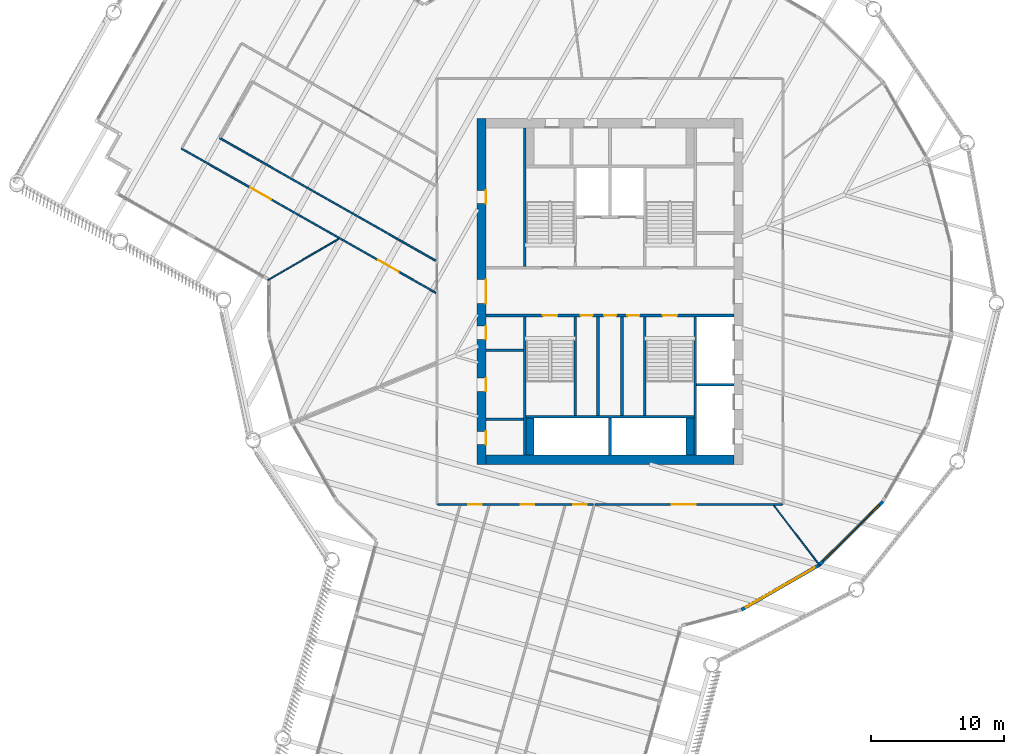
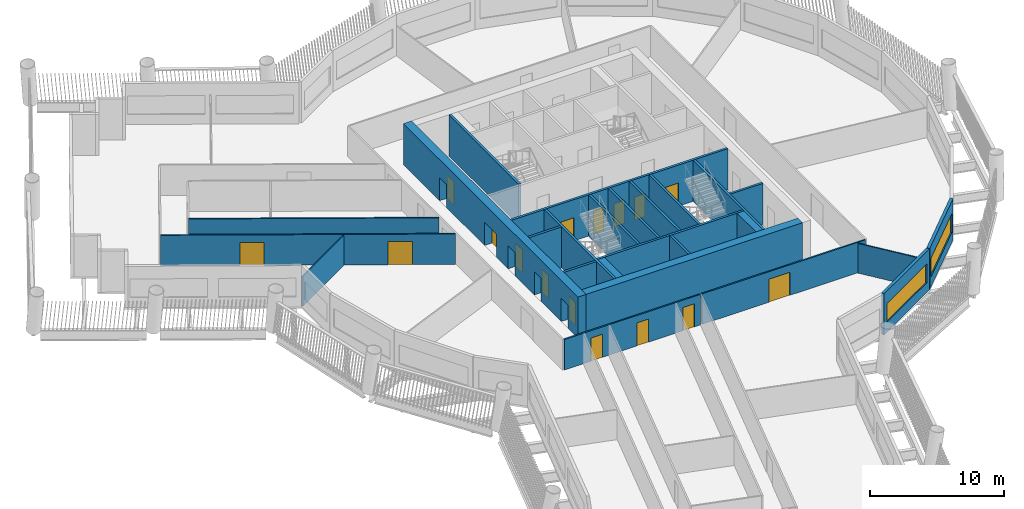
# One storey, part 4 of 15: 25 walls, 16 doors, 2 windows, 18 openings.
"""IFC4 building model written with IfcOpenShell, lengths in metres."""

from ifc_helpers import new_model, si_unit, direction, frame, frame_2d, origin, place, context, subcontext, project, spatial, rectangle, extrude, material, layer, layer_set, type_object, element, fill, save


model = new_model("IFC4")

# Units and contexts
model_context = context("Model", 3, precision=1e-05, world=origin(), true_north=direction((0.0, 1.0)))
body_context = subcontext(model_context, "Body", "Model", "MODEL_VIEW")
ifc_project = project(units=[si_unit("LENGTHUNIT", "METRE"), si_unit("AREAUNIT", "SQUARE_METRE"), si_unit("VOLUMEUNIT", "CUBIC_METRE"), si_unit("PLANEANGLEUNIT", "RADIAN"), si_unit("MASSUNIT", "GRAM", prefix="KILO")], contexts=[model_context])

# Site, building, storey
site_placement = place(None, origin())
site = spatial("IfcSite", under=ifc_project, at=site_placement, CompositionType="ELEMENT")
building_placement = place(site_placement, origin())
building = spatial("IfcBuilding", under=site, at=building_placement, Name="Tarsis Ring Headquarters", CompositionType="ELEMENT")
storey_placement = place(building_placement, frame((0.0, 0.0, 159.300048828125)))
storey = spatial("IfcBuildingStorey", under=building, at=storey_placement, Name="L36", CompositionType="ELEMENT", Elevation=159.300048828125)

# Walls
ifc_material_1 = material(Name="Blockwork", Category="masonry")
ifc_layer_1 = layer(ifc_material_1, 0.199951171875)
ifc_layer_set_1 = layer_set([ifc_layer_1], Name="Core blockwork wall 200")
wall_type_1 = type_object("IfcWallType", Name="Core blockwork wall 200", PredefinedType="PARTITIONING", material=ifc_layer_set_1)
for number, where, z_axis, x_axis, name in (
    (1, (-9.300048828125, -9.60009765625, 0.0), (0.0, 0.0, 1.0), (1.0, 0.0, 0.0), "Core partition WD1"),
    (2, (-9.300048828125, -4.39990234375, 0.0), (0.0, 0.0, 1.0), (1.0, 0.0, 0.0), "Core partition WD3"),
):
    element("IfcWall", number, at=place(storey_placement, frame(where, z_axis=z_axis, x_axis=x_axis)), inside=storey, type_object=wall_type_1, Name=name, PredefinedType="PARTITIONING", context=body_context, shape_type="SweptSolid", body=[
        extrude(rectangle(XDim=2.800048828125, YDim=0.199951171875, at=frame_2d((1.39990234375, 0.0))), origin(), (0.0, 0.0, 1.0), 3.739990234375),
    ])
for number, where, z_axis, x_axis, name in (
    (3, (-0.89990234375, -9.300048828125, 0.0), (0.0, 0.0, 1.0), (0.0, 1.0, 0.0), "Core partition SV1"),
    (4, (0.89990234375, -9.300048828125, 0.0), (0.0, 0.0, 1.0), (0.0, 1.0, 0.0), "Core partition SV2"),
):
    element("IfcWall", number, at=place(storey_placement, frame(where, z_axis=z_axis, x_axis=x_axis)), inside=storey, type_object=wall_type_1, Name=name, PredefinedType="PARTITIONING", context=body_context, shape_type="SweptSolid", body=[
        extrude(rectangle(XDim=7.400146484375, YDim=0.199951171875, at=frame_2d((3.7001953125, 0.0))), origin(), (0.0, 0.0, 1.0), 3.739990234375),
    ])

# Wall, openings, doors
ifc_material_2 = material(Name="Concrete C60/75", Category="concrete")
ifc_layer_2 = layer(ifc_material_2, 0.699951171875)
ifc_layer_set_2 = layer_set([ifc_layer_2], Name="Core wall 700 C60/75")
wall_type_2 = type_object("IfcWallType", Name="Core wall 700 C60/75", PredefinedType="SHEAR", material=ifc_layer_set_2)
wall_1_placement = place(storey_placement, frame((-9.64990234375, -13.0, 0.0), z_axis=(0.0, 0.0, 1.0), x_axis=(0.0, 1.0, 0.0)))
wall_1 = element("IfcWall", 5, at=wall_1_placement, inside=storey, type_object=wall_type_2, Name="Core wall OW", PredefinedType="SHEAR", context=body_context, shape_type="SweptSolid", body=[
    extrude(rectangle(XDim=26.0, YDim=0.699951171875, at=frame_2d((13.0, 0.0))), origin(), (0.0, 0.0, 1.0), 3.739990234375),
])
opening_1_placement = place(wall_1_placement, frame((1.5, 0.0, 0.0)))
opening_1 = element("IfcOpeningElement", 6, at=opening_1_placement, cuts=wall_1, Name="Opening L36-C01", PredefinedType="OPENING", context=body_context, shape_type="SweptSolid", body=[
    extrude(rectangle(XDim=1.0, YDim=2.10009765625, at=frame_2d((0.5, 1.050048828125))), frame((0.0, 0.35986328125, 0.0), z_axis=(0.0, -1.0, 0.0), x_axis=(1.0, 0.0, 0.0)), (0.0, 0.0, 1.0), 0.719970703125),
])
opening_2_placement = place(wall_1_placement, frame((5.5, 0.0, 0.0)))
opening_2 = element("IfcOpeningElement", 7, at=opening_2_placement, cuts=wall_1, Name="Opening L36-C02", PredefinedType="OPENING", context=body_context, shape_type="SweptSolid", body=[
    extrude(rectangle(XDim=1.0, YDim=2.10009765625, at=frame_2d((0.5, 1.050048828125))), frame((0.0, 0.35986328125, 0.0), z_axis=(0.0, -1.0, 0.0), x_axis=(1.0, 0.0, 0.0)), (0.0, 0.0, 1.0), 0.719970703125),
])
opening_3_placement = place(wall_1_placement, frame((9.39990234375, 0.0, 0.0)))
opening_3 = element("IfcOpeningElement", 8, at=opening_3_placement, cuts=wall_1, Name="Opening L36-C03", PredefinedType="OPENING", context=body_context, shape_type="SweptSolid", body=[
    extrude(rectangle(XDim=1.0, YDim=2.10009765625, at=frame_2d((0.5, 1.050048828125))), frame((0.0, 0.35986328125, 0.0), z_axis=(0.0, -1.0, 0.0), x_axis=(1.0, 0.0, 0.0)), (0.0, 0.0, 1.0), 0.719970703125),
])
opening_4_placement = place(wall_1_placement, frame((12.10009765625, 0.0, 0.0)))
opening_4 = element("IfcOpeningElement", 9, at=opening_4_placement, cuts=wall_1, Name="Opening L36-C04", PredefinedType="OPENING", context=body_context, shape_type="SweptSolid", body=[
    extrude(rectangle(XDim=1.800048828125, YDim=2.10009765625, at=frame_2d((0.89990234375, 1.050048828125))), frame((0.0, 0.35986328125, 0.0), z_axis=(0.0, -1.0, 0.0), x_axis=(1.0, 0.0, 0.0)), (0.0, 0.0, 1.0), 0.719970703125),
])
opening_5_placement = place(wall_1_placement, frame((19.60009765625, 0.0, 0.0)))
opening_5 = element("IfcOpeningElement", 10, at=opening_5_placement, cuts=wall_1, Name="Opening L36-C05", PredefinedType="OPENING", context=body_context, shape_type="SweptSolid", body=[
    extrude(rectangle(XDim=1.0, YDim=2.10009765625, at=frame_2d((0.5, 1.050048828125))), frame((0.0, 0.35986328125, 0.0), z_axis=(0.0, -1.0, 0.0), x_axis=(1.0, 0.0, 0.0)), (0.0, 0.0, 1.0), 0.719970703125),
])
ifc_material_3 = material(Name="Steel S355", Category="steel")
door_type_1 = type_object("IfcDoorType", Name="Core entry door 1800x2100", OperationType="DOUBLE_DOOR_SINGLE_SWING", PredefinedType="DOOR", material=ifc_material_3)
door_1_placement = place(opening_4_placement, origin())
door_1 = element("IfcDoor", 11, at=door_1_placement, inside=storey, type_object=door_type_1, Name="Core entry door L36", OperationType="DOUBLE_DOOR_SINGLE_SWING", OverallHeight=2.10009765625, OverallWidth=1.800048828125, PredefinedType="DOOR", context=body_context, shape_type="SweptSolid", body=[
    extrude(rectangle(XDim=1.800048828125, YDim=2.10009765625, at=frame_2d((0.89990234375, 1.050048828125))), frame((0.0, -0.2998046875, 0.0), z_axis=(0.0, -1.0, 0.0), x_axis=(1.0, 0.0, 0.0)), (0.0, 0.0, 1.0), 0.050048828125),
])
fill(opening_4, door_1)
door_type_2 = type_object("IfcDoorType", Name="Core room door 1000x2100", OperationType="SINGLE_SWING_LEFT", PredefinedType="DOOR", material=ifc_material_3)
door_2_placement = place(opening_1_placement, origin())
door_2 = element("IfcDoor", 12, at=door_2_placement, inside=storey, type_object=door_type_2, Name="Core room door L36", OperationType="SINGLE_SWING_LEFT", OverallHeight=2.10009765625, OverallWidth=1.0, PredefinedType="DOOR", context=body_context, shape_type="SweptSolid", body=[
    extrude(rectangle(XDim=1.0, YDim=2.10009765625, at=frame_2d((0.5, 1.050048828125))), frame((0.0, -0.2998046875, 0.0), z_axis=(0.0, -1.0, 0.0), x_axis=(1.0, 0.0, 0.0)), (0.0, 0.0, 1.0), 0.050048828125),
])
fill(opening_1, door_2)
door_3_placement = place(opening_2_placement, origin())
door_3 = element("IfcDoor", 13, at=door_3_placement, inside=storey, type_object=door_type_2, Name="Core room door L36", OperationType="SINGLE_SWING_LEFT", OverallHeight=2.10009765625, OverallWidth=1.0, PredefinedType="DOOR", context=body_context, shape_type="SweptSolid", body=[
    extrude(rectangle(XDim=1.0, YDim=2.10009765625, at=frame_2d((0.5, 1.050048828125))), frame((0.0, -0.2998046875, 0.0), z_axis=(0.0, -1.0, 0.0), x_axis=(1.0, 0.0, 0.0)), (0.0, 0.0, 1.0), 0.050048828125),
])
fill(opening_2, door_3)
door_4_placement = place(opening_3_placement, origin())
door_4 = element("IfcDoor", 14, at=door_4_placement, inside=storey, type_object=door_type_2, Name="Core room door L36", OperationType="SINGLE_SWING_LEFT", OverallHeight=2.10009765625, OverallWidth=1.0, PredefinedType="DOOR", context=body_context, shape_type="SweptSolid", body=[
    extrude(rectangle(XDim=1.0, YDim=2.10009765625, at=frame_2d((0.5, 1.050048828125))), frame((0.0, -0.2998046875, 0.0), z_axis=(0.0, -1.0, 0.0), x_axis=(1.0, 0.0, 0.0)), (0.0, 0.0, 1.0), 0.050048828125),
])
fill(opening_3, door_4)
door_5_placement = place(opening_5_placement, origin())
door_5 = element("IfcDoor", 15, at=door_5_placement, inside=storey, type_object=door_type_2, Name="Core room door L36", OperationType="SINGLE_SWING_LEFT", OverallHeight=2.10009765625, OverallWidth=1.0, PredefinedType="DOOR", context=body_context, shape_type="SweptSolid", body=[
    extrude(rectangle(XDim=1.0, YDim=2.10009765625, at=frame_2d((0.5, 1.050048828125))), frame((0.0, -0.2998046875, 0.0), z_axis=(0.0, -1.0, 0.0), x_axis=(1.0, 0.0, 0.0)), (0.0, 0.0, 1.0), 0.050048828125),
])
fill(opening_5, door_5)

# Walls
wall_2_placement = place(storey_placement, frame((-9.300048828125, -12.64990234375, 0.0), z_axis=(0.0, 0.0, 1.0), x_axis=(1.0, 0.0, 0.0)))
element("IfcWall", 16, at=wall_2_placement, inside=storey, type_object=wall_type_2, Name="Core wall OS", PredefinedType="SHEAR", context=body_context, shape_type="SweptSolid", body=[
    extrude(rectangle(XDim=18.60009765625, YDim=0.699951171875, at=frame_2d((9.300048828125, 0.0))), origin(), (0.0, 0.0, 1.0), 3.739990234375),
])
ifc_material_4 = material(Name="Gypsum board on steel studs", Category="steel")
ifc_layer_3 = layer(ifc_material_4, 0.10009765625)
ifc_layer_set_3 = layer_set([ifc_layer_3], Name="FL partition 100 unrated")
wall_type_3 = type_object("IfcWallType", Name="FL partition 100 unrated", PredefinedType="PARTITIONING", material=ifc_layer_set_3)
wall_3_placement = place(storey_placement, frame((-25.697265625, 0.864990234375, 0.0), z_axis=(0.0, 0.0, 1.0), x_axis=(0.864373785522, 0.50284983733, 0.0)))
element("IfcWall", 17, at=wall_3_placement, inside=storey, type_object=wall_type_3, Name="Partition PW3", PredefinedType="PARTITIONING", context=body_context, shape_type="SweptSolid", body=[
    extrude(rectangle(XDim=6.141357421875, YDim=0.10009765625, at=frame_2d((3.07080078125, 0.0))), origin(), (0.0, 0.0, 1.0), 2.699951171875),
])
wall_4_placement = place(storey_placement, frame((12.311279296875, -16.079345703125, 0.0), z_axis=(0.0, 0.0, 1.0), x_axis=(0.607938366201, -0.793984220814, 0.0)))
element("IfcWall", 18, at=wall_4_placement, inside=storey, type_object=wall_type_3, Name="Partition PW3", PredefinedType="PARTITIONING", context=body_context, shape_type="SweptSolid", body=[
    extrude(rectangle(XDim=5.696533203125, YDim=0.10009765625, at=frame_2d((2.84814453125, 0.0))), origin(), (0.0, 0.0, 1.0), 2.699951171875),
])

# Wall, openings, doors
ifc_layer_4 = layer(ifc_material_4, 0.125)
ifc_layer_set_4 = layer_set([ifc_layer_4], Name="FL partition 125 EI 60 H2770")
wall_type_4 = type_object("IfcWallType", Name="FL partition 125 EI 60 H2770", PredefinedType="PARTITIONING", material=ifc_layer_set_4)
wall_5_placement = place(storey_placement, frame((-12.93994140625, -16.0, 0.0), z_axis=(0.0, 0.0, 1.0), x_axis=(1.0, 0.0, 0.0)))
wall_5 = element("IfcWall", 19, at=wall_5_placement, inside=storey, type_object=wall_type_4, Name="Partition PW1", PredefinedType="PARTITIONING", context=body_context, shape_type="SweptSolid", body=[
    extrude(rectangle(XDim=11.6826171875, YDim=0.125, at=frame_2d((5.84130859375, 0.0))), origin(), (0.0, 0.0, 1.0), 2.77001953125),
])
opening_6_placement = place(wall_5_placement, frame((6.23046875, 0.0, 0.0)))
opening_6 = element("IfcOpeningElement", 20, at=opening_6_placement, cuts=wall_5, Name="Opening D36.14", PredefinedType="OPENING", context=body_context, shape_type="SweptSolid", body=[
    extrude(rectangle(XDim=1.0, YDim=2.10009765625, at=frame_2d((0.5, 1.050048828125))), frame((0.0, 0.072509765625, 0.0), z_axis=(0.0, -1.0, 0.0), x_axis=(1.0, 0.0, 0.0)), (0.0, 0.0, 1.0), 0.14501953125),
])
opening_7_placement = place(wall_5_placement, frame((2.285888671875, 0.0, 0.0)))
opening_7 = element("IfcOpeningElement", 21, at=opening_7_placement, cuts=wall_5, Name="Opening D36.16", PredefinedType="OPENING", context=body_context, shape_type="SweptSolid", body=[
    extrude(rectangle(XDim=1.0, YDim=2.10009765625, at=frame_2d((0.5, 1.050048828125))), frame((0.0, 0.072509765625, 0.0), z_axis=(0.0, -1.0, 0.0), x_axis=(1.0, 0.0, 0.0)), (0.0, 0.0, 1.0), 0.14501953125),
])
opening_8_placement = place(wall_5_placement, frame((10.175048828125, 0.0, 0.0)))
opening_8 = element("IfcOpeningElement", 22, at=opening_8_placement, cuts=wall_5, Name="Opening D36.17", PredefinedType="OPENING", context=body_context, shape_type="SweptSolid", body=[
    extrude(rectangle(XDim=1.0, YDim=2.10009765625, at=frame_2d((0.5, 1.050048828125))), frame((0.0, 0.072509765625, 0.0), z_axis=(0.0, -1.0, 0.0), x_axis=(1.0, 0.0, 0.0)), (0.0, 0.0, 1.0), 0.14501953125),
])
ifc_material_5 = material(Name="Fire-rated timber door leaf in steel frame", Category="steel")
door_type_3 = type_object("IfcDoorType", Name="FL door FD60-1000", OperationType="NOTDEFINED", PredefinedType="DOOR", material=ifc_material_5)
door_6_placement = place(opening_6_placement, origin())
door_6 = element("IfcDoor", 23, at=door_6_placement, inside=storey, type_object=door_type_3, Name="Door D36.14", OperationType="SINGLE_SWING_RIGHT", OverallHeight=2.10009765625, OverallWidth=1.0, PredefinedType="DOOR", context=body_context, shape_type="SweptSolid", body=[
    extrude(rectangle(XDim=1.0, YDim=2.10009765625, at=frame_2d((0.5, 1.050048828125))), frame((0.0, 0.02490234375, 0.0), z_axis=(0.0, -1.0, 0.0), x_axis=(1.0, 0.0, 0.0)), (0.0, 0.0, 1.0), 0.050048828125),
])
fill(opening_6, door_6)
door_7_placement = place(opening_7_placement, origin())
door_7 = element("IfcDoor", 24, at=door_7_placement, inside=storey, type_object=door_type_3, Name="Door D36.16", OperationType="SINGLE_SWING_RIGHT", OverallHeight=2.10009765625, OverallWidth=1.0, PredefinedType="DOOR", context=body_context, shape_type="SweptSolid", body=[
    extrude(rectangle(XDim=1.0, YDim=2.10009765625, at=frame_2d((0.5, 1.050048828125))), frame((0.0, 0.02490234375, 0.0), z_axis=(0.0, -1.0, 0.0), x_axis=(1.0, 0.0, 0.0)), (0.0, 0.0, 1.0), 0.050048828125),
])
fill(opening_7, door_7)
door_8_placement = place(opening_8_placement, origin())
door_8 = element("IfcDoor", 25, at=door_8_placement, inside=storey, type_object=door_type_3, Name="Door D36.17", OperationType="SINGLE_SWING_LEFT", OverallHeight=2.10009765625, OverallWidth=1.0, PredefinedType="DOOR", context=body_context, shape_type="SweptSolid", body=[
    extrude(rectangle(XDim=1.0, YDim=2.10009765625, at=frame_2d((0.5, 1.050048828125))), frame((0.0, 0.02490234375, 0.0), z_axis=(0.0, -1.0, 0.0), x_axis=(1.0, 0.0, 0.0)), (0.0, 0.0, 1.0), 0.050048828125),
])
fill(opening_8, door_8)

# Wall, opening, door
wall_6_placement = place(storey_placement, frame((-1.11474609375, -16.0, 0.0), z_axis=(0.0, 0.0, 1.0), x_axis=(1.0, 0.0, 0.0)))
wall_6 = element("IfcWall", 26, at=wall_6_placement, inside=storey, type_object=wall_type_4, Name="Partition PW1", PredefinedType="PARTITIONING", context=body_context, shape_type="SweptSolid", body=[
    extrude(rectangle(XDim=14.0546875, YDim=0.125, at=frame_2d((7.02734375, 0.0))), origin(), (0.0, 0.0, 1.0), 2.77001953125),
])
opening_9_placement = place(wall_6_placement, frame((5.752685546875, 0.0, 0.0)))
opening_9 = element("IfcOpeningElement", 27, at=opening_9_placement, cuts=wall_6, Name="Opening D36.07", PredefinedType="OPENING", context=body_context, shape_type="SweptSolid", body=[
    extrude(rectangle(XDim=1.800048828125, YDim=2.10009765625, at=frame_2d((0.89990234375, 1.050048828125))), frame((0.0, 0.072509765625, 0.0), z_axis=(0.0, -1.0, 0.0), x_axis=(1.0, 0.0, 0.0)), (0.0, 0.0, 1.0), 0.14501953125),
])
door_type_4 = type_object("IfcDoorType", Name="FL door FD60-1800", OperationType="DOUBLE_DOOR_SINGLE_SWING", PredefinedType="DOOR", material=ifc_material_5)
door_9_placement = place(opening_9_placement, origin())
door_9 = element("IfcDoor", 28, at=door_9_placement, inside=storey, type_object=door_type_4, Name="Door D36.07", OperationType="DOUBLE_DOOR_SINGLE_SWING", OverallHeight=2.10009765625, OverallWidth=1.800048828125, PredefinedType="DOOR", context=body_context, shape_type="SweptSolid", body=[
    extrude(rectangle(XDim=1.800048828125, YDim=2.10009765625, at=frame_2d((0.89990234375, 1.050048828125))), frame((0.0, 0.02490234375, 0.0), z_axis=(0.0, -1.0, 0.0), x_axis=(1.0, 0.0, 0.0)), (0.0, 0.0, 1.0), 0.050048828125),
])
fill(opening_9, door_9)

# Wall, openings, doors
wall_7_placement = place(storey_placement, frame((-32.192138671875, 10.7392578125, 0.0), z_axis=(0.0, 0.0, 1.0), x_axis=(0.869843336451, -0.493328055184, 0.0)))
wall_7 = element("IfcWall", 29, at=wall_7_placement, inside=storey, type_object=wall_type_4, Name="Partition PW1", PredefinedType="PARTITIONING", context=body_context, shape_type="SweptSolid", body=[
    extrude(rectangle(XDim=21.9638671875, YDim=0.125, at=frame_2d((10.98193359375, 0.0))), origin(), (0.0, 0.0, 1.0), 2.77001953125),
])
opening_10_placement = place(wall_7_placement, frame((5.927978515625, 0.0, 0.0)))
opening_10 = element("IfcOpeningElement", 30, at=opening_10_placement, cuts=wall_7, Name="Opening D36.01", PredefinedType="OPENING", context=body_context, shape_type="SweptSolid", body=[
    extrude(rectangle(XDim=1.800048828125, YDim=2.10009765625, at=frame_2d((0.89990234375, 1.050048828125))), frame((0.0, 0.072509765625, 0.0), z_axis=(0.0, -1.0, 0.0), x_axis=(1.0, 0.0, 0.0)), (0.0, 0.0, 1.0), 0.14501953125),
])
opening_11_placement = place(wall_7_placement, frame((16.9599609375, 0.0, 0.0)))
opening_11 = element("IfcOpeningElement", 31, at=opening_11_placement, cuts=wall_7, Name="Opening D36.11", PredefinedType="OPENING", context=body_context, shape_type="SweptSolid", body=[
    extrude(rectangle(XDim=1.800048828125, YDim=2.10009765625, at=frame_2d((0.89990234375, 1.050048828125))), frame((0.0, 0.072509765625, 0.0), z_axis=(0.0, -1.0, 0.0), x_axis=(1.0, 0.0, 0.0)), (0.0, 0.0, 1.0), 0.14501953125),
])
door_10_placement = place(opening_10_placement, origin())
door_10 = element("IfcDoor", 32, at=door_10_placement, inside=storey, type_object=door_type_4, Name="Door D36.01", OperationType="DOUBLE_DOOR_SINGLE_SWING", OverallHeight=2.10009765625, OverallWidth=1.800048828125, PredefinedType="DOOR", context=body_context, shape_type="SweptSolid", body=[
    extrude(rectangle(XDim=1.800048828125, YDim=2.10009765625, at=frame_2d((0.89990234375, 1.050048828125))), frame((0.0, 0.02490234375, 0.0), z_axis=(0.0, -1.0, 0.0), x_axis=(1.0, 0.0, 0.0)), (0.0, 0.0, 1.0), 0.050048828125),
])
fill(opening_10, door_10)
door_11_placement = place(opening_11_placement, origin())
door_11 = element("IfcDoor", 33, at=door_11_placement, inside=storey, type_object=door_type_4, Name="Door D36.11", OperationType="DOUBLE_DOOR_SINGLE_SWING", OverallHeight=2.10009765625, OverallWidth=1.800048828125, PredefinedType="DOOR", context=body_context, shape_type="SweptSolid", body=[
    extrude(rectangle(XDim=1.800048828125, YDim=2.10009765625, at=frame_2d((0.89990234375, 1.050048828125))), frame((0.0, 0.02490234375, 0.0), z_axis=(0.0, -1.0, 0.0), x_axis=(1.0, 0.0, 0.0)), (0.0, 0.0, 1.0), 0.050048828125),
])
fill(opening_11, door_11)

# Wall
wall_8_placement = place(storey_placement, frame((-29.329345703125, 11.530029296875, 0.0), z_axis=(0.0, 0.0, 1.0), x_axis=(0.86984135893, -0.493331541962, 0.0)))
element("IfcWall", 34, at=wall_8_placement, inside=storey, type_object=wall_type_4, Name="Partition PW1", PredefinedType="PARTITIONING", context=body_context, shape_type="SweptSolid", body=[
    extrude(rectangle(XDim=18.6728515625, YDim=0.125, at=frame_2d((9.33642578125, 0.0))), origin(), (0.0, 0.0, 1.0), 2.77001953125),
])

# Wall, opening, window
ifc_material_6 = material(Name="Terracotta clad insulated panel wall", Category="masonry")
ifc_layer_5 = layer(ifc_material_6, 0.25)
ifc_layer_set_5 = layer_set([ifc_layer_5], Name="Facade wall terracotta panel 250")
wall_type_5 = type_object("IfcWallType", Name="Facade wall terracotta panel 250", PredefinedType="STANDARD", material=ifc_layer_set_5)
wall_9_placement = place(storey_placement, frame((9.890625, -23.906494140625, 0.0), z_axis=(0.0, 0.0, 1.0), x_axis=(0.866550582058, 0.499089259287, 0.0)))
wall_9 = element("IfcWall", 35, at=wall_9_placement, inside=storey, type_object=wall_type_5, Name="External wall L36-18", PredefinedType="STANDARD", context=body_context, shape_type="SweptSolid", body=[
    extrude(rectangle(XDim=6.7216796875, YDim=0.25, at=frame_2d((3.36083984375, 0.0))), origin(), (0.0, 0.0, 1.0), 3.739990234375),
])
opening_12_placement = place(wall_9_placement, frame((0.3857421875, 0.0, 0.89990234375)))
opening_12 = element("IfcOpeningElement", 36, at=opening_12_placement, cuts=wall_9, Name="Opening WN07", PredefinedType="OPENING", context=body_context, shape_type="SweptSolid", body=[
    extrude(rectangle(XDim=5.949951171875, YDim=1.699951171875, at=frame_2d((2.97509765625, 0.85009765625))), frame((0.0, 0.135009765625, 0.0), z_axis=(0.0, -1.0, 0.0), x_axis=(1.0, 0.0, 0.0)), (0.0, 0.0, 1.0), 0.27001953125),
])
ifc_material_7 = material(Name="Aluminium framed double glazing", Category="aluminium")
window_type = type_object("IfcWindowType", Name="Facade window 5950 x 1700", PartitioningType="SINGLE_PANEL", PredefinedType="WINDOW", material=ifc_material_7)
window_1_placement = place(opening_12_placement, origin())
window_1 = element("IfcWindow", 37, at=window_1_placement, inside=storey, type_object=window_type, Name="Window L36-18.1", OverallHeight=1.699951171875, OverallWidth=5.949951171875, PartitioningType="SINGLE_PANEL", PredefinedType="WINDOW", context=body_context, shape_type="SweptSolid", body=[
    extrude(rectangle(XDim=5.949951171875, YDim=1.699951171875, at=frame_2d((2.97509765625, 0.85009765625))), frame((0.0, 0.030029296875, 0.0), z_axis=(0.0, -1.0, 0.0), x_axis=(1.0, 0.0, 0.0)), (0.0, 0.0, 1.0), 0.06005859375),
])
fill(opening_12, window_1)

wall_10_placement = place(storey_placement, frame((15.7412109375, -20.531982421875, 0.0), z_axis=(0.0, 0.0, 1.0), x_axis=(0.707850998407, 0.706361779865, 0.0)))
wall_10 = element("IfcWall", 38, at=wall_10_placement, inside=storey, type_object=wall_type_5, Name="External wall L36-19", PredefinedType="STANDARD", context=body_context, shape_type="SweptSolid", body=[
    extrude(rectangle(XDim=6.721435546875, YDim=0.25, at=frame_2d((3.36083984375, 0.0))), origin(), (0.0, 0.0, 1.0), 3.739990234375),
])
opening_13_placement = place(wall_10_placement, frame((0.3857421875, 0.0, 0.89990234375)))
opening_13 = element("IfcOpeningElement", 39, at=opening_13_placement, cuts=wall_10, Name="Opening WN07", PredefinedType="OPENING", context=body_context, shape_type="SweptSolid", body=[
    extrude(rectangle(XDim=5.949951171875, YDim=1.699951171875, at=frame_2d((2.97509765625, 0.85009765625))), frame((0.0, 0.135009765625, 0.0), z_axis=(0.0, -1.0, 0.0), x_axis=(1.0, 0.0, 0.0)), (0.0, 0.0, 1.0), 0.27001953125),
])
window_2_placement = place(opening_13_placement, origin())
window_2 = element("IfcWindow", 40, at=window_2_placement, inside=storey, type_object=window_type, Name="Window L36-19.1", OverallHeight=1.699951171875, OverallWidth=5.949951171875, PartitioningType="SINGLE_PANEL", PredefinedType="WINDOW", context=body_context, shape_type="SweptSolid", body=[
    extrude(rectangle(XDim=5.949951171875, YDim=1.699951171875, at=frame_2d((2.97509765625, 0.85009765625))), frame((0.0, 0.030029296875, 0.0), z_axis=(0.0, -1.0, 0.0), x_axis=(1.0, 0.0, 0.0)), (0.0, 0.0, 1.0), 0.06005859375),
])
fill(opening_13, window_2)

# Walls
ifc_material_8 = material(Name="Concrete C32/40", Category="concrete")
ifc_layer_6 = layer(ifc_material_8, 0.60009765625)
ifc_layer_set_6 = layer_set([ifc_layer_6], Name="Shaft end wall 600 C32/40")
wall_type_6 = type_object("IfcWallType", Name="Shaft end wall 600 C32/40", PredefinedType="SOLIDWALL", material=ifc_layer_set_6)
for number, where, z_axis, x_axis, name in (
    (41, (-6.0, -12.300048828125, 0.0), (0.0, 0.0, 1.0), (0.0, 1.0, 0.0), "Core shaft wall SNE1"),
    (42, (6.0, -12.300048828125, 0.0), (0.0, 0.0, 1.0), (0.0, 1.0, 0.0), "Core shaft wall SNE2"),
):
    element("IfcWall", number, at=place(storey_placement, frame(where, z_axis=z_axis, x_axis=x_axis)), inside=storey, type_object=wall_type_6, Name=name, PredefinedType="SOLIDWALL", context=body_context, shape_type="SweptSolid", body=[
        extrude(rectangle(XDim=2.800048828125, YDim=0.60009765625, at=frame_2d((1.39990234375, 0.0))), origin(), (0.0, 0.0, 1.0), 3.739990234375),
    ])

# Wall, openings, doors
ifc_layer_7 = layer(ifc_material_8, 0.199951171875)
ifc_layer_set_7 = layer_set([ifc_layer_7], Name="Shaft wall 200 C32/40")
wall_type_7 = type_object("IfcWallType", Name="Shaft wall 200 C32/40", PredefinedType="SOLIDWALL", material=ifc_layer_set_7)
wall_11_placement = place(storey_placement, frame((-9.300048828125, -1.800048828125, 0.0), z_axis=(0.0, 0.0, 1.0), x_axis=(1.0, 0.0, 0.0)))
wall_11 = element("IfcWall", 43, at=wall_11_placement, inside=storey, type_object=wall_type_7, Name="Core shaft wall CS", PredefinedType="SOLIDWALL", context=body_context, shape_type="SweptSolid", body=[
    extrude(rectangle(XDim=18.60009765625, YDim=0.199951171875, at=frame_2d((9.300048828125, 0.0))), origin(), (0.0, 0.0, 1.0), 3.739990234375),
])
opening_14_placement = place(wall_11_placement, frame((4.25, 0.0, 0.0)))
opening_14 = element("IfcOpeningElement", 44, at=opening_14_placement, cuts=wall_11, Name="Opening L36-C20", PredefinedType="OPENING", context=body_context, shape_type="SweptSolid", body=[
    extrude(rectangle(XDim=1.10009765625, YDim=2.10009765625, at=frame_2d((0.550048828125, 1.050048828125))), frame((0.0, 0.10986328125, 0.0), z_axis=(0.0, -1.0, 0.0), x_axis=(1.0, 0.0, 0.0)), (0.0, 0.0, 1.0), 0.219970703125),
])
opening_15_placement = place(wall_11_placement, frame((7.10009765625, 0.0, 0.0)))
opening_15 = element("IfcOpeningElement", 45, at=opening_15_placement, cuts=wall_11, Name="Opening L36-C21", PredefinedType="OPENING", context=body_context, shape_type="SweptSolid", body=[
    extrude(rectangle(XDim=0.89990234375, YDim=2.10009765625, at=frame_2d((0.449951171875, 1.050048828125))), frame((0.0, 0.10986328125, 0.0), z_axis=(0.0, -1.0, 0.0), x_axis=(1.0, 0.0, 0.0)), (0.0, 0.0, 1.0), 0.219970703125),
])
opening_16_placement = place(wall_11_placement, frame((8.85009765625, 0.0, 0.0)))
opening_16 = element("IfcOpeningElement", 46, at=opening_16_placement, cuts=wall_11, Name="Opening L36-C22", PredefinedType="OPENING", context=body_context, shape_type="SweptSolid", body=[
    extrude(rectangle(XDim=0.89990234375, YDim=2.10009765625, at=frame_2d((0.449951171875, 1.050048828125))), frame((0.0, 0.10986328125, 0.0), z_axis=(0.0, -1.0, 0.0), x_axis=(1.0, 0.0, 0.0)), (0.0, 0.0, 1.0), 0.219970703125),
])
opening_17_placement = place(wall_11_placement, frame((10.60009765625, 0.0, 0.0)))
opening_17 = element("IfcOpeningElement", 47, at=opening_17_placement, cuts=wall_11, Name="Opening L36-C23", PredefinedType="OPENING", context=body_context, shape_type="SweptSolid", body=[
    extrude(rectangle(XDim=0.89990234375, YDim=2.10009765625, at=frame_2d((0.449951171875, 1.050048828125))), frame((0.0, 0.10986328125, 0.0), z_axis=(0.0, -1.0, 0.0), x_axis=(1.0, 0.0, 0.0)), (0.0, 0.0, 1.0), 0.219970703125),
])
opening_18_placement = place(wall_11_placement, frame((13.25, 0.0, 0.0)))
opening_18 = element("IfcOpeningElement", 48, at=opening_18_placement, cuts=wall_11, Name="Opening L36-C24", PredefinedType="OPENING", context=body_context, shape_type="SweptSolid", body=[
    extrude(rectangle(XDim=1.10009765625, YDim=2.10009765625, at=frame_2d((0.550048828125, 1.050048828125))), frame((0.0, 0.10986328125, 0.0), z_axis=(0.0, -1.0, 0.0), x_axis=(1.0, 0.0, 0.0)), (0.0, 0.0, 1.0), 0.219970703125),
])
door_type_5 = type_object("IfcDoorType", Name="Stair door 1100x2100", OperationType="SINGLE_SWING_LEFT", PredefinedType="DOOR", material=ifc_material_3)
door_12_placement = place(opening_14_placement, origin())
door_12 = element("IfcDoor", 49, at=door_12_placement, inside=storey, type_object=door_type_5, Name="Stair door L36", OperationType="SINGLE_SWING_LEFT", OverallHeight=2.10009765625, OverallWidth=1.10009765625, PredefinedType="DOOR", context=body_context, shape_type="SweptSolid", body=[
    extrude(rectangle(XDim=1.10009765625, YDim=2.10009765625, at=frame_2d((0.550048828125, 1.050048828125))), frame((0.0, 0.02490234375, 0.0), z_axis=(0.0, -1.0, 0.0), x_axis=(1.0, 0.0, 0.0)), (0.0, 0.0, 1.0), 0.050048828125),
])
fill(opening_14, door_12)
door_13_placement = place(opening_18_placement, origin())
door_13 = element("IfcDoor", 50, at=door_13_placement, inside=storey, type_object=door_type_5, Name="Stair door L36", OperationType="SINGLE_SWING_LEFT", OverallHeight=2.10009765625, OverallWidth=1.10009765625, PredefinedType="DOOR", context=body_context, shape_type="SweptSolid", body=[
    extrude(rectangle(XDim=1.10009765625, YDim=2.10009765625, at=frame_2d((0.550048828125, 1.050048828125))), frame((0.0, 0.02490234375, 0.0), z_axis=(0.0, -1.0, 0.0), x_axis=(1.0, 0.0, 0.0)), (0.0, 0.0, 1.0), 0.050048828125),
])
fill(opening_18, door_13)
door_type_6 = type_object("IfcDoorType", Name="WC door 900x2100", OperationType="SINGLE_SWING_LEFT", PredefinedType="DOOR", material=ifc_material_3)
door_14_placement = place(opening_15_placement, origin())
door_14 = element("IfcDoor", 51, at=door_14_placement, inside=storey, type_object=door_type_6, Name="WC door L36", OperationType="SINGLE_SWING_LEFT", OverallHeight=2.10009765625, OverallWidth=0.89990234375, PredefinedType="DOOR", context=body_context, shape_type="SweptSolid", body=[
    extrude(rectangle(XDim=0.89990234375, YDim=2.10009765625, at=frame_2d((0.449951171875, 1.050048828125))), frame((0.0, 0.02490234375, 0.0), z_axis=(0.0, -1.0, 0.0), x_axis=(1.0, 0.0, 0.0)), (0.0, 0.0, 1.0), 0.050048828125),
])
fill(opening_15, door_14)
door_15_placement = place(opening_16_placement, origin())
door_15 = element("IfcDoor", 52, at=door_15_placement, inside=storey, type_object=door_type_6, Name="WC door L36", OperationType="SINGLE_SWING_LEFT", OverallHeight=2.10009765625, OverallWidth=0.89990234375, PredefinedType="DOOR", context=body_context, shape_type="SweptSolid", body=[
    extrude(rectangle(XDim=0.89990234375, YDim=2.10009765625, at=frame_2d((0.449951171875, 1.050048828125))), frame((0.0, 0.02490234375, 0.0), z_axis=(0.0, -1.0, 0.0), x_axis=(1.0, 0.0, 0.0)), (0.0, 0.0, 1.0), 0.050048828125),
])
fill(opening_16, door_15)
door_16_placement = place(opening_17_placement, origin())
door_16 = element("IfcDoor", 53, at=door_16_placement, inside=storey, type_object=door_type_6, Name="WC door L36", OperationType="SINGLE_SWING_LEFT", OverallHeight=2.10009765625, OverallWidth=0.89990234375, PredefinedType="DOOR", context=body_context, shape_type="SweptSolid", body=[
    extrude(rectangle(XDim=0.89990234375, YDim=2.10009765625, at=frame_2d((0.449951171875, 1.050048828125))), frame((0.0, 0.02490234375, 0.0), z_axis=(0.0, -1.0, 0.0), x_axis=(1.0, 0.0, 0.0)), (0.0, 0.0, 1.0), 0.050048828125),
])
fill(opening_17, door_16)

# Walls
for number, where, z_axis, x_axis, name in (
    (54, (-6.39990234375, -12.300048828125, 0.0), (0.0, 0.0, 1.0), (0.0, 1.0, 0.0), "Core shaft wall WB1"),
    (55, (-6.39990234375, 1.89990234375, 0.0), (0.0, 0.0, 1.0), (0.0, 1.0, 0.0), "Core shaft wall WB2"),
    (56, (6.39990234375, -12.300048828125, 0.0), (0.0, 0.0, 1.0), (0.0, 1.0, 0.0), "Core shaft wall EB1"),
):
    element("IfcWall", number, at=place(storey_placement, frame(where, z_axis=z_axis, x_axis=x_axis)), inside=storey, type_object=wall_type_7, Name=name, PredefinedType="SOLIDWALL", context=body_context, shape_type="SweptSolid", body=[
        extrude(rectangle(XDim=10.400146484375, YDim=0.199951171875, at=frame_2d((5.2001953125, 0.0))), origin(), (0.0, 0.0, 1.0), 3.739990234375),
    ])
wall_12_placement = place(storey_placement, frame((-6.300048828125, -9.39990234375, 0.0), z_axis=(0.0, 0.0, 1.0), x_axis=(1.0, 0.0, 0.0)))
element("IfcWall", 57, at=wall_12_placement, inside=storey, type_object=wall_type_7, Name="Core shaft wall SB", PredefinedType="SOLIDWALL", context=body_context, shape_type="SweptSolid", body=[
    extrude(rectangle(XDim=12.60009765625, YDim=0.199951171875, at=frame_2d((6.300048828125, 0.0))), origin(), (0.0, 0.0, 1.0), 3.739990234375),
])
for number, where, z_axis, x_axis, name in (
    (58, (-2.60009765625, -9.300048828125, 0.0), (0.0, 0.0, 1.0), (0.0, 1.0, 0.0), "Core shaft wall SW3"),
    (59, (2.60009765625, -9.300048828125, 0.0), (0.0, 0.0, 1.0), (0.0, 1.0, 0.0), "Core shaft wall SW4"),
):
    element("IfcWall", number, at=place(storey_placement, frame(where, z_axis=z_axis, x_axis=x_axis)), inside=storey, type_object=wall_type_7, Name=name, PredefinedType="SOLIDWALL", context=body_context, shape_type="SweptSolid", body=[
        extrude(rectangle(XDim=7.400146484375, YDim=0.199951171875, at=frame_2d((3.7001953125, 0.0))), origin(), (0.0, 0.0, 1.0), 3.739990234375),
    ])
for number, where, z_axis, x_axis, name in (
    (60, (6.5, -7.0, 0.0), (0.0, 0.0, 1.0), (1.0, 0.0, 0.0), "Core shaft wall ED2"),
    (61, (0.0, -12.300048828125, 0.0), (0.0, 0.0, 1.0), (0.0, 1.0, 0.0), "Core shaft wall SD2"),
):
    element("IfcWall", number, at=place(storey_placement, frame(where, z_axis=z_axis, x_axis=x_axis)), inside=storey, type_object=wall_type_7, Name=name, PredefinedType="SOLIDWALL", context=body_context, shape_type="SweptSolid", body=[
        extrude(rectangle(XDim=2.800048828125, YDim=0.199951171875, at=frame_2d((1.39990234375, 0.0))), origin(), (0.0, 0.0, 1.0), 3.739990234375),
    ])

save(model, "model.ifc")
